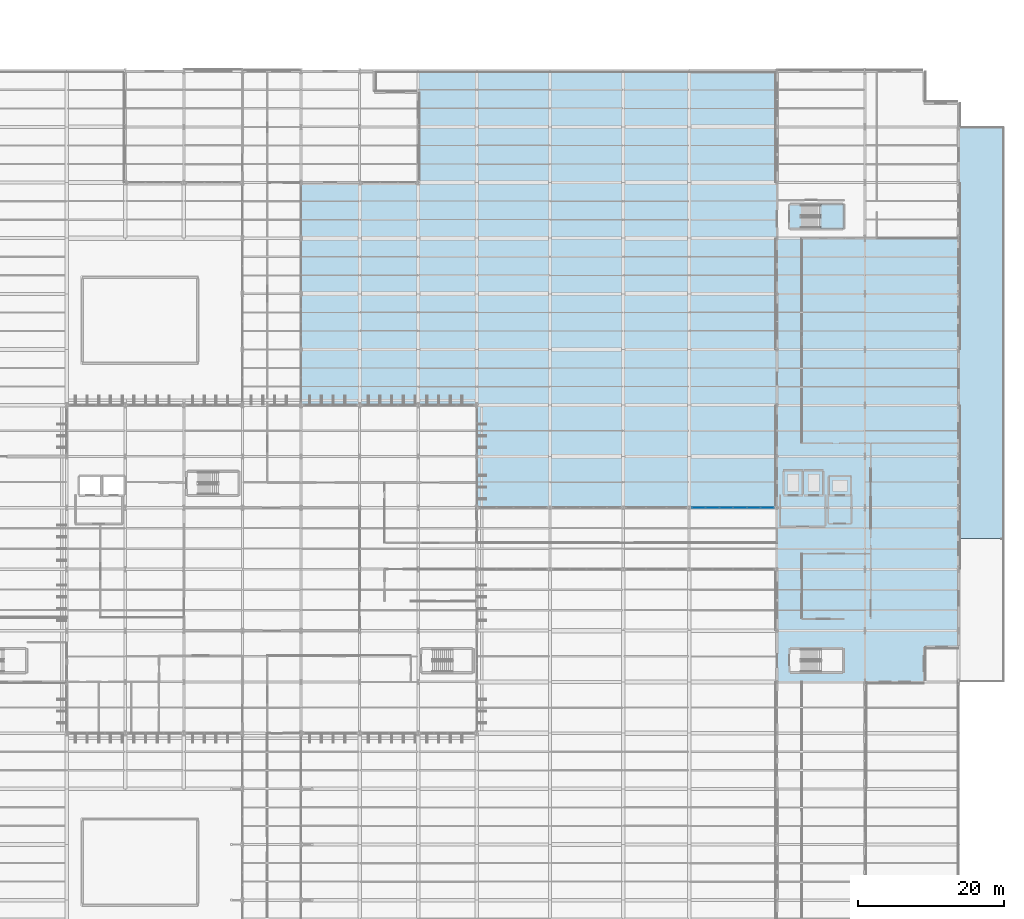
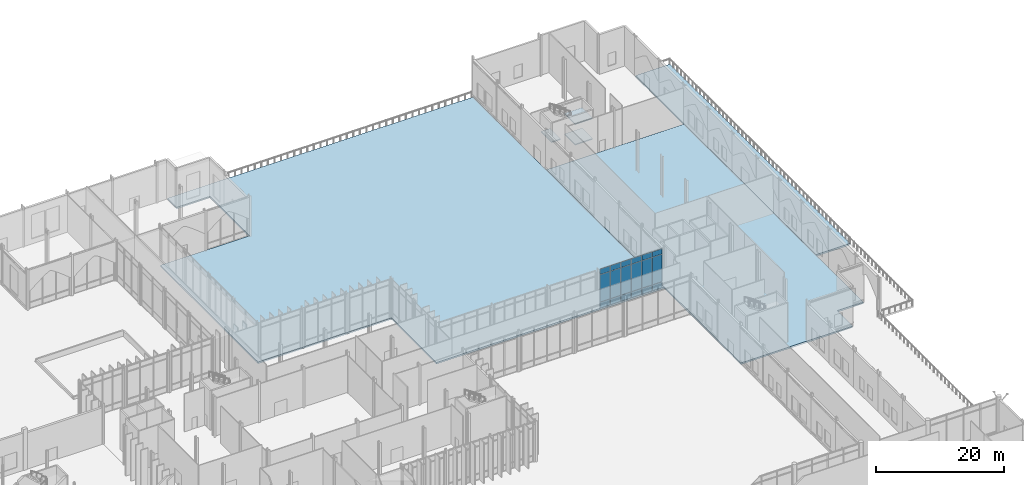
# One storey, part 125 of 176: 18 plates, 6 slabs, 2 elements without a shape of their own.
"""IFC4 building model written with IfcOpenShell, lengths in metres."""

from ifc_helpers import new_model, si_unit, direction, frame, origin, origin_2d, place, context, subcontext, project, spatial, polyline, rectangle, outline, extrude, material, layer, layer_set, type_object, element, aggregate, save


model = new_model("IFC4")

# Units and contexts
model_context = context("Model", 3, precision=1e-05, world=origin(), true_north=direction((0.0, 1.0)))
body_context = subcontext(model_context, "Body", "Model", "MODEL_VIEW")
ifc_project = project(units=[si_unit("LENGTHUNIT", "METRE"), si_unit("AREAUNIT", "SQUARE_METRE"), si_unit("VOLUMEUNIT", "CUBIC_METRE"), si_unit("PLANEANGLEUNIT", "RADIAN"), si_unit("MASSUNIT", "GRAM", prefix="KILO")], contexts=[model_context])

# Site, building, storey
site_placement = place(None, origin())
site = spatial("IfcSite", under=ifc_project, at=site_placement, CompositionType="ELEMENT")
building_placement = place(site_placement, origin())
building = spatial("IfcBuilding", under=site, at=building_placement, Name="Vekula Escarpment Museum", CompositionType="ELEMENT")
storey_placement = place(building_placement, origin())
storey = spatial("IfcBuildingStorey", under=building, at=storey_placement, Name="L01", CompositionType="ELEMENT", Elevation=0.0)

# Curtain wall, plates
ifc_material_1 = material(Name="Aluminium thermally broken framing", Category="aluminium")
ifc_layer_1 = layer(ifc_material_1, 0.14990234375)
ifc_layer_set_1 = layer_set([ifc_layer_1], Name="Aluminium thermally broken framing")
curtain_wall_type = type_object("IfcCurtainWallType", Name="CW-SYS-09", PredefinedType="NOTDEFINED", material=ifc_layer_set_1)
curtain_wall_placement = place(storey_placement, origin())
curtain_wall = element("IfcCurtainWall", 1, at=curtain_wall_placement, inside=storey, type_object=curtain_wall_type, Name="Curtain Wall CW-L01-019", PredefinedType="NOTDEFINED")
ifc_material_2 = material(Name="Insulated bronze spandrel glass panel", Category="glass")
ifc_layer_2 = layer(ifc_material_2, 0.0400390625)
ifc_layer_set_2 = layer_set([ifc_layer_2], Name="Insulated bronze spandrel glass panel")
plate_type = type_object("IfcPlateType", Name="CW-PNL-40", PredefinedType="CURTAIN_PANEL", material=ifc_layer_set_2)
plate_1_placement = place(storey_placement, frame((165.683837890625, 76.39990234375, 0.06494140625), z_axis=(0.0, 0.0, 1.0), x_axis=(-1.0, 0.0, 0.0)))
plate_1 = element("IfcPlate", 2, at=plate_1_placement, type_object=plate_type, Name="CW-09 panel 1.1", PredefinedType="CURTAIN_PANEL", context=body_context, shape_type="SweptSolid", body=[
    extrude(rectangle(XDim=1.782470703125, YDim=0.0400390625, at=origin_2d()), origin(), (0.0, 0.0, 1.0), 1.1025390625),
])
plate_2_placement = place(storey_placement, frame((165.683837890625, 76.39990234375, 1.232421875), z_axis=(0.0, 0.0, 1.0), x_axis=(-1.0, 0.0, 0.0)))
plate_2 = element("IfcPlate", 3, at=plate_2_placement, type_object=plate_type, Name="CW-09 panel 1.2", PredefinedType="CURTAIN_PANEL", context=body_context, shape_type="SweptSolid", body=[
    extrude(rectangle(XDim=1.782470703125, YDim=0.0400390625, at=origin_2d()), origin(), (0.0, 0.0, 1.0), 5.175048828125),
])
plate_3_placement = place(storey_placement, frame((165.683837890625, 76.39990234375, 6.472412109375), z_axis=(0.0, 0.0, 1.0), x_axis=(-1.0, 0.0, 0.0)))
plate_3 = element("IfcPlate", 4, at=plate_3_placement, type_object=plate_type, Name="CW-09 panel 1.3", PredefinedType="CURTAIN_PANEL", context=body_context, shape_type="SweptSolid", body=[
    extrude(rectangle(XDim=1.782470703125, YDim=0.0400390625, at=origin_2d()), origin(), (0.0, 0.0, 1.0), 1.00244140625),
])
plate_4_placement = place(storey_placement, frame((163.820068359375, 76.39990234375, 0.06494140625), z_axis=(0.0, 0.0, 1.0), x_axis=(-1.0, 0.0, 0.0)))
plate_4 = element("IfcPlate", 5, at=plate_4_placement, type_object=plate_type, Name="CW-09 panel 2.1", PredefinedType="CURTAIN_PANEL", context=body_context, shape_type="SweptSolid", body=[
    extrude(rectangle(XDim=1.81494140625, YDim=0.0400390625, at=origin_2d()), origin(), (0.0, 0.0, 1.0), 1.1025390625),
])
plate_5_placement = place(storey_placement, frame((163.820068359375, 76.39990234375, 1.232421875), z_axis=(0.0, 0.0, 1.0), x_axis=(-1.0, 0.0, 0.0)))
plate_5 = element("IfcPlate", 6, at=plate_5_placement, type_object=plate_type, Name="CW-09 panel 2.2", PredefinedType="CURTAIN_PANEL", context=body_context, shape_type="SweptSolid", body=[
    extrude(rectangle(XDim=1.81494140625, YDim=0.0400390625, at=origin_2d()), origin(), (0.0, 0.0, 1.0), 5.175048828125),
])
plate_6_placement = place(storey_placement, frame((163.820068359375, 76.39990234375, 6.472412109375), z_axis=(0.0, 0.0, 1.0), x_axis=(-1.0, 0.0, 0.0)))
plate_6 = element("IfcPlate", 7, at=plate_6_placement, type_object=plate_type, Name="CW-09 panel 2.3", PredefinedType="CURTAIN_PANEL", context=body_context, shape_type="SweptSolid", body=[
    extrude(rectangle(XDim=1.81494140625, YDim=0.0400390625, at=origin_2d()), origin(), (0.0, 0.0, 1.0), 1.00244140625),
])
plate_7_placement = place(storey_placement, frame((161.93994140625, 76.39990234375, 0.06494140625), z_axis=(0.0, 0.0, 1.0), x_axis=(-1.0, 0.0, 0.0)))
plate_7 = element("IfcPlate", 8, at=plate_7_placement, type_object=plate_type, Name="CW-09 panel 3.1", PredefinedType="CURTAIN_PANEL", context=body_context, shape_type="SweptSolid", body=[
    extrude(rectangle(XDim=1.81494140625, YDim=0.0400390625, at=origin_2d()), origin(), (0.0, 0.0, 1.0), 1.1025390625),
])
plate_8_placement = place(storey_placement, frame((161.93994140625, 76.39990234375, 1.232421875), z_axis=(0.0, 0.0, 1.0), x_axis=(-1.0, 0.0, 0.0)))
plate_8 = element("IfcPlate", 9, at=plate_8_placement, type_object=plate_type, Name="CW-09 panel 3.2", PredefinedType="CURTAIN_PANEL", context=body_context, shape_type="SweptSolid", body=[
    extrude(rectangle(XDim=1.81494140625, YDim=0.0400390625, at=origin_2d()), origin(), (0.0, 0.0, 1.0), 5.175048828125),
])
plate_9_placement = place(storey_placement, frame((161.93994140625, 76.39990234375, 6.472412109375), z_axis=(0.0, 0.0, 1.0), x_axis=(-1.0, 0.0, 0.0)))
plate_9 = element("IfcPlate", 10, at=plate_9_placement, type_object=plate_type, Name="CW-09 panel 3.3", PredefinedType="CURTAIN_PANEL", context=body_context, shape_type="SweptSolid", body=[
    extrude(rectangle(XDim=1.81494140625, YDim=0.0400390625, at=origin_2d()), origin(), (0.0, 0.0, 1.0), 1.00244140625),
])
plate_10_placement = place(storey_placement, frame((160.06005859375, 76.39990234375, 0.06494140625), z_axis=(0.0, 0.0, 1.0), x_axis=(-1.0, 0.0, 0.0)))
plate_10 = element("IfcPlate", 11, at=plate_10_placement, type_object=plate_type, Name="CW-09 panel 4.1", PredefinedType="CURTAIN_PANEL", context=body_context, shape_type="SweptSolid", body=[
    extrude(rectangle(XDim=1.81494140625, YDim=0.0400390625, at=origin_2d()), origin(), (0.0, 0.0, 1.0), 1.1025390625),
])
plate_11_placement = place(storey_placement, frame((160.06005859375, 76.39990234375, 1.232421875), z_axis=(0.0, 0.0, 1.0), x_axis=(-1.0, 0.0, 0.0)))
plate_11 = element("IfcPlate", 12, at=plate_11_placement, type_object=plate_type, Name="CW-09 panel 4.2", PredefinedType="CURTAIN_PANEL", context=body_context, shape_type="SweptSolid", body=[
    extrude(rectangle(XDim=1.81494140625, YDim=0.0400390625, at=origin_2d()), origin(), (0.0, 0.0, 1.0), 5.175048828125),
])
plate_12_placement = place(storey_placement, frame((160.06005859375, 76.39990234375, 6.472412109375), z_axis=(0.0, 0.0, 1.0), x_axis=(-1.0, 0.0, 0.0)))
plate_12 = element("IfcPlate", 13, at=plate_12_placement, type_object=plate_type, Name="CW-09 panel 4.3", PredefinedType="CURTAIN_PANEL", context=body_context, shape_type="SweptSolid", body=[
    extrude(rectangle(XDim=1.81494140625, YDim=0.0400390625, at=origin_2d()), origin(), (0.0, 0.0, 1.0), 1.00244140625),
])
plate_13_placement = place(storey_placement, frame((158.179931640625, 76.39990234375, 0.06494140625), z_axis=(0.0, 0.0, 1.0), x_axis=(-1.0, 0.0, 0.0)))
plate_13 = element("IfcPlate", 14, at=plate_13_placement, type_object=plate_type, Name="CW-09 panel 5.1", PredefinedType="CURTAIN_PANEL", context=body_context, shape_type="SweptSolid", body=[
    extrude(rectangle(XDim=1.81494140625, YDim=0.0400390625, at=origin_2d()), origin(), (0.0, 0.0, 1.0), 1.1025390625),
])
plate_14_placement = place(storey_placement, frame((158.179931640625, 76.39990234375, 1.232421875), z_axis=(0.0, 0.0, 1.0), x_axis=(-1.0, 0.0, 0.0)))
plate_14 = element("IfcPlate", 15, at=plate_14_placement, type_object=plate_type, Name="CW-09 panel 5.2", PredefinedType="CURTAIN_PANEL", context=body_context, shape_type="SweptSolid", body=[
    extrude(rectangle(XDim=1.81494140625, YDim=0.0400390625, at=origin_2d()), origin(), (0.0, 0.0, 1.0), 5.175048828125),
])
plate_15_placement = place(storey_placement, frame((158.179931640625, 76.39990234375, 6.472412109375), z_axis=(0.0, 0.0, 1.0), x_axis=(-1.0, 0.0, 0.0)))
plate_15 = element("IfcPlate", 16, at=plate_15_placement, type_object=plate_type, Name="CW-09 panel 5.3", PredefinedType="CURTAIN_PANEL", context=body_context, shape_type="SweptSolid", body=[
    extrude(rectangle(XDim=1.81494140625, YDim=0.0400390625, at=origin_2d()), origin(), (0.0, 0.0, 1.0), 1.00244140625),
])
plate_16_placement = place(storey_placement, frame((156.316162109375, 76.39990234375, 0.06494140625), z_axis=(0.0, 0.0, 1.0), x_axis=(-1.0, 0.0, 0.0)))
plate_16 = element("IfcPlate", 17, at=plate_16_placement, type_object=plate_type, Name="CW-09 panel 6.1", PredefinedType="CURTAIN_PANEL", context=body_context, shape_type="SweptSolid", body=[
    extrude(rectangle(XDim=1.782470703125, YDim=0.0400390625, at=origin_2d()), origin(), (0.0, 0.0, 1.0), 1.1025390625),
])
plate_17_placement = place(storey_placement, frame((156.316162109375, 76.39990234375, 1.232421875), z_axis=(0.0, 0.0, 1.0), x_axis=(-1.0, 0.0, 0.0)))
plate_17 = element("IfcPlate", 18, at=plate_17_placement, type_object=plate_type, Name="CW-09 panel 6.2", PredefinedType="CURTAIN_PANEL", context=body_context, shape_type="SweptSolid", body=[
    extrude(rectangle(XDim=1.782470703125, YDim=0.0400390625, at=origin_2d()), origin(), (0.0, 0.0, 1.0), 5.175048828125),
])
plate_18_placement = place(storey_placement, frame((156.316162109375, 76.39990234375, 6.472412109375), z_axis=(0.0, 0.0, 1.0), x_axis=(-1.0, 0.0, 0.0)))
plate_18 = element("IfcPlate", 19, at=plate_18_placement, type_object=plate_type, Name="CW-09 panel 6.3", PredefinedType="CURTAIN_PANEL", context=body_context, shape_type="SweptSolid", body=[
    extrude(rectangle(XDim=1.782470703125, YDim=0.0400390625, at=origin_2d()), origin(), (0.0, 0.0, 1.0), 1.00244140625),
])
aggregate(curtain_wall, [plate_1, plate_2, plate_3, plate_4, plate_5, plate_6, plate_7, plate_8, plate_9, plate_10, plate_11, plate_12, plate_13, plate_14, plate_15, plate_16, plate_17, plate_18])

# Slab
ifc_material_3 = material(Name="Concrete C35/45", Category="concrete")
ifc_layer_3 = layer(ifc_material_3, 0.300048828125)
ifc_layer_set_3 = layer_set([ifc_layer_3], Name="Concrete C35/45")
slab_type_1 = type_object("IfcSlabType", Name="SL-FLR-300", PredefinedType="FLOOR", material=ifc_layer_set_3)
slab_1_placement = place(storey_placement, frame((0.0, 0.0, -0.300048828125)))
element("IfcSlab", 20, at=slab_1_placement, inside=storey, type_object=slab_type_1, Name="Floor Slab W-L01-V3-E", PredefinedType="FLOOR", context=body_context, shape_type="SweptSolid", body=[
    extrude(outline(polyline([(167.0, 52.60009765625), (187.087890625, 52.60009765625), (187.087890625, 57.39990234375), (191.800048828125, 57.39990234375), (191.800048828125, 113.199951171875), (167.0, 113.199951171875), (167.0, 52.60009765625)])), origin(), (0.0, 0.0, 1.0), 0.300048828125),
])

# Stair, slabs
ifc_material_4 = material(Name="Concrete C35/45", Category="concrete")
stair_type = type_object("IfcStairType", Name="STR-TYPE-145", PredefinedType="HALF_TURN_STAIR", material=ifc_material_4)
stair_placement = place(storey_placement, origin())
stair = element("IfcStair", 21, at=stair_placement, inside=storey, type_object=stair_type, Name="L01 Northeast Cumba Exit Stair ST-05", PredefinedType="HALF_TURN_STAIR")
ifc_material_5 = material(Name="Concrete C35/45", Category="concrete")
ifc_layer_4 = layer(ifc_material_5, 0.199951171875)
ifc_layer_set_4 = layer_set([ifc_layer_4], Name="Concrete C35/45")
slab_type_2 = type_object("IfcSlabType", Name="SL-LAND-200", PredefinedType="LANDING", material=ifc_layer_set_4)
slab_2_placement = place(storey_placement, frame((0.0, 0.0, 1.75)))
slab_2 = element("IfcSlab", 22, at=slab_2_placement, type_object=slab_type_2, Name="ST-05 landing 1", PredefinedType="LANDING", context=body_context, shape_type="SweptSolid", body=[
    extrude(outline(polyline([(172.9599609375, 114.510009765625), (176.090087890625, 114.510009765625), (176.090087890625, 117.7900390625), (172.9599609375, 117.7900390625), (172.9599609375, 114.510009765625)])), origin(), (0.0, 0.0, 1.0), 0.199951171875),
])
slab_3_placement = place(storey_placement, frame((0.0, 0.0, 3.699951171875)))
slab_3 = element("IfcSlab", 23, at=slab_3_placement, type_object=slab_type_2, Name="ST-05 landing 2", PredefinedType="LANDING", context=body_context, shape_type="SweptSolid", body=[
    extrude(outline(polyline([(168.7099609375, 114.510009765625), (170.340087890625, 114.510009765625), (170.340087890625, 117.7900390625), (168.7099609375, 117.7900390625), (168.7099609375, 114.510009765625)])), origin(), (0.0, 0.0, 1.0), 0.199951171875),
])
slab_4_placement = place(storey_placement, frame((0.0, 0.0, 5.64990234375)))
slab_4 = element("IfcSlab", 24, at=slab_4_placement, type_object=slab_type_2, Name="ST-05 landing 3", PredefinedType="LANDING", context=body_context, shape_type="SweptSolid", body=[
    extrude(outline(polyline([(172.9599609375, 114.510009765625), (176.090087890625, 114.510009765625), (176.090087890625, 117.7900390625), (172.9599609375, 117.7900390625), (172.9599609375, 114.510009765625)])), origin(), (0.0, 0.0, 1.0), 0.2001953125),
])
aggregate(stair, [slab_2, slab_3, slab_4])

# Slabs
ifc_material_6 = material(Name="Precast concrete C40/50", Category="concrete")
ifc_layer_5 = layer(ifc_material_6, 0.300048828125)
ifc_layer_set_5 = layer_set([ifc_layer_5], Name="Precast concrete C40/50")
slab_type_3 = type_object("IfcSlabType", Name="SL-TER-300", PredefinedType="FLOOR", material=ifc_layer_set_5)
slab_5_placement = place(storey_placement, frame((0.0, 0.0, -0.300048828125)))
element("IfcSlab", 25, at=slab_5_placement, inside=storey, type_object=slab_type_3, Name="Plinth Courtyard Terrace T-L01-PLN-NE-1", PredefinedType="FLOOR", context=body_context, shape_type="SweptSolid", body=[
    extrude(outline(polyline([(166.985107421875, 113.215087890625), (166.985107421875, 113.18505859375), (166.985107421875, 76.4150390625), (126.014892578125, 76.4150390625), (126.014892578125, 90.4150390625), (102.014892578125, 90.4150390625), (102.014892578125, 120.784912109375), (118.014892578125, 120.784912109375), (118.014892578125, 133.126953125), (112.014892578125, 133.126953125), (112.014892578125, 136.0), (166.985107421875, 136.0), (166.985107421875, 113.215087890625)])), origin(), (0.0, 0.0, 1.0), 0.300048828125),
])
slab_6_placement = place(storey_placement, frame((0.0, 0.0, -0.300048828125)))
element("IfcSlab", 26, at=slab_6_placement, inside=storey, type_object=slab_type_3, Name="Plinth Courtyard Terrace T-L01-PLN-NE-2", PredefinedType="FLOOR", context=body_context, shape_type="SweptSolid", body=[
    extrude(outline(polyline([(198.0, 72.2099609375), (191.81494140625, 72.2099609375), (191.81494140625, 113.18505859375), (191.81494140625, 113.215087890625), (191.81494140625, 128.39990234375), (198.0, 128.39990234375), (198.0, 72.2099609375)])), origin(), (0.0, 0.0, 1.0), 0.300048828125),
])

save(model, "model.ifc")
